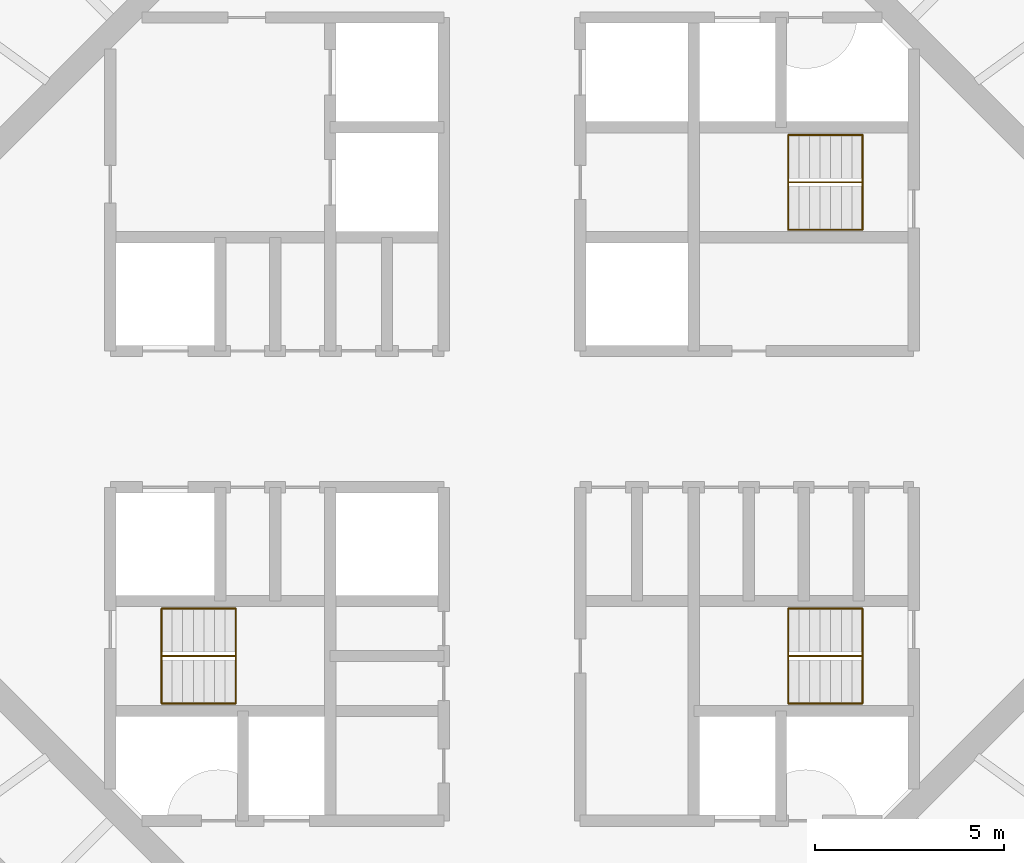
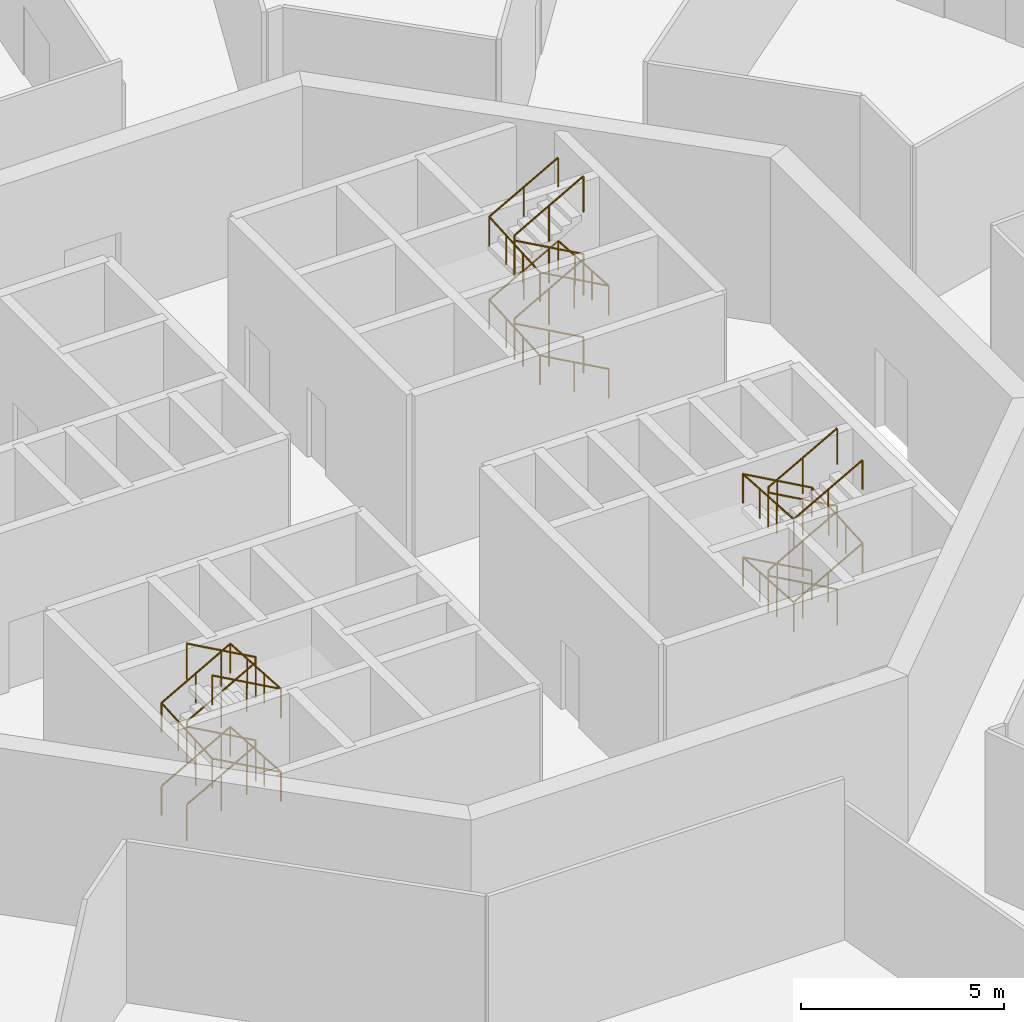
# One storey, part 13 of 13: 6 railings.
"""IFC4 building model written with IfcOpenShell, lengths in metres."""

from ifc_helpers import new_model, si_unit, direction, frame, origin, origin_2d, place, context, subcontext, project, spatial, circle, extrude, material, type_object, element, save


model = new_model("IFC4")

# Units and contexts
model_context = context("Model", 3, precision=1e-05, world=origin(), true_north=direction((0.0, 1.0)))
body_context = subcontext(model_context, "Body", "Model", "MODEL_VIEW")
ifc_project = project(units=[si_unit("LENGTHUNIT", "METRE"), si_unit("AREAUNIT", "SQUARE_METRE"), si_unit("VOLUMEUNIT", "CUBIC_METRE"), si_unit("PLANEANGLEUNIT", "RADIAN"), si_unit("MASSUNIT", "GRAM", prefix="KILO")], contexts=[model_context])

# Site, building, storey
site_placement = place(None, origin())
site = spatial("IfcSite", under=ifc_project, at=site_placement, CompositionType="ELEMENT")
building_placement = place(site_placement, origin())
building = spatial("IfcBuilding", under=site, at=building_placement, Name="Entoto Ring Tower", CompositionType="ELEMENT")
storey_placement = place(building_placement, frame((0.0, 0.0, 402.0)))
storey = spatial("IfcBuildingStorey", under=building, at=storey_placement, Name="L92", CompositionType="ELEMENT", Elevation=402.0)

# Railings
ifc_material_1 = material(Name="Steel S275", Category="steel")
railing_type_1 = type_object("IfcRailingType", Name="Stair guard 1100 mm steel", PredefinedType="GUARDRAIL", material=ifc_material_1)
railing_1_placement = place(storey_placement, frame((99.25, 86.25, 0.15625)))
element("IfcRailing", 1, at=railing_1_placement, inside=storey, type_object=railing_type_1, Name="Guard ST1", PredefinedType="GUARDRAIL", context=body_context, shape_type="SweptSolid", body=[
    extrude(circle(Radius=0.02392578125, at=origin_2d()), frame((0.0, 0.0, 1.076171875), z_axis=(-0.873232148454, 0.0, 0.487304437602), x_axis=(0.0, -1.0, 0.0)), (0.0, 0.0, 1.0), 2.244384765625),
    extrude(circle(Radius=0.02392578125, at=origin_2d()), frame((-1.9599609375, 0.0, 2.169921875), z_axis=(0.0, 0.0, 1.0), x_axis=(1.0, 0.0, 0.0)), (0.0, 0.0, 1.0), 0.15625),
    extrude(circle(Radius=0.02392578125, at=origin_2d()), frame((-1.9599609375, 0.0, 2.326171875), z_axis=(0.873232148454, 0.0, 0.487304437602), x_axis=(0.0, 1.0, 0.0)), (0.0, 0.0, 1.0), 2.244384765625),
    extrude(circle(Radius=0.02392578125, at=origin_2d()), frame((0.0, 0.0, 3.419921875), z_axis=(0.0, 0.0, 1.0), x_axis=(1.0, 0.0, 0.0)), (0.0, 0.0, 1.0), 0.15625),
    extrude(circle(Radius=0.02392578125, at=origin_2d()), frame((0.0, 0.0, 3.576171875), z_axis=(-0.873232148454, 0.0, 0.487304437602), x_axis=(0.0, -1.0, 0.0)), (0.0, 0.0, 1.0), 2.244384765625),
    extrude(circle(Radius=0.02392578125, at=origin_2d()), frame((-1.9599609375, 0.0, 4.669921875), z_axis=(0.0, 0.0, 1.0), x_axis=(1.0, 0.0, 0.0)), (0.0, 0.0, 1.0), 0.15625),
    extrude(circle(Radius=0.02392578125, at=origin_2d()), frame((-1.9599609375, 0.0, 4.826171875), z_axis=(0.873232148454, 0.0, 0.487304437602), x_axis=(0.0, 1.0, 0.0)), (0.0, 0.0, 1.0), 2.244384765625),
    extrude(circle(Radius=0.02099609375, at=origin_2d()), origin(), (0.0, 0.0, 1.0), 1.052001953125),
    extrude(circle(Radius=0.02099609375, at=origin_2d()), frame((-0.97998046875, 0.0, 0.546875)), (0.0, 0.0, 1.0), 1.052001953125),
    extrude(circle(Radius=0.02099609375, at=origin_2d()), frame((-1.9599609375, 0.0, 1.09375)), (0.0, 0.0, 1.0), 1.052001953125),
    extrude(circle(Radius=0.02099609375, at=origin_2d()), frame((-1.9599609375, 0.0, 1.25)), (0.0, 0.0, 1.0), 1.052001953125),
    extrude(circle(Radius=0.02099609375, at=origin_2d()), frame((-0.97998046875, 0.0, 1.796875)), (0.0, 0.0, 1.0), 1.052001953125),
    extrude(circle(Radius=0.02099609375, at=origin_2d()), frame((0.0, 0.0, 2.34375)), (0.0, 0.0, 1.0), 1.052001953125),
    extrude(circle(Radius=0.02099609375, at=origin_2d()), frame((0.0, 0.0, 2.5)), (0.0, 0.0, 1.0), 1.052001953125),
    extrude(circle(Radius=0.02099609375, at=origin_2d()), frame((-0.97998046875, 0.0, 3.046875)), (0.0, 0.0, 1.0), 1.052001953125),
    extrude(circle(Radius=0.02099609375, at=origin_2d()), frame((-1.9599609375, 0.0, 3.59375)), (0.0, 0.0, 1.0), 1.052001953125),
    extrude(circle(Radius=0.02099609375, at=origin_2d()), frame((-1.9599609375, 0.0, 3.75)), (0.0, 0.0, 1.0), 1.052001953125),
    extrude(circle(Radius=0.02099609375, at=origin_2d()), frame((-0.97998046875, 0.0, 4.296875)), (0.0, 0.0, 1.0), 1.052001953125),
    extrude(circle(Radius=0.02099609375, at=origin_2d()), frame((0.0, 0.0, 4.84375)), (0.0, 0.0, 1.0), 1.052001953125),
])
railing_2_placement = place(storey_placement, frame((80.75, 73.75, 0.15625)))
element("IfcRailing", 2, at=railing_2_placement, inside=storey, type_object=railing_type_1, Name="Guard ST2", PredefinedType="GUARDRAIL", context=body_context, shape_type="SweptSolid", body=[
    extrude(circle(Radius=0.02392578125, at=origin_2d()), frame((0.0, 0.0, 1.076171875), z_axis=(0.873232148454, 0.0, 0.487304437602), x_axis=(0.0, 1.0, 0.0)), (0.0, 0.0, 1.0), 2.244384765625),
    extrude(circle(Radius=0.02392578125, at=origin_2d()), frame((1.9599609375, 0.0, 2.169921875), z_axis=(0.0, 0.0, 1.0), x_axis=(1.0, 0.0, 0.0)), (0.0, 0.0, 1.0), 0.15625),
    extrude(circle(Radius=0.02392578125, at=origin_2d()), frame((1.9599609375, 0.0, 2.326171875), z_axis=(-0.873232148454, 0.0, 0.487304437602), x_axis=(0.0, -1.0, 0.0)), (0.0, 0.0, 1.0), 2.244384765625),
    extrude(circle(Radius=0.02392578125, at=origin_2d()), frame((0.0, 0.0, 3.419921875), z_axis=(0.0, 0.0, 1.0), x_axis=(1.0, 0.0, 0.0)), (0.0, 0.0, 1.0), 0.15625),
    extrude(circle(Radius=0.02392578125, at=origin_2d()), frame((0.0, 0.0, 3.576171875), z_axis=(0.873232148454, 0.0, 0.487304437602), x_axis=(0.0, 1.0, 0.0)), (0.0, 0.0, 1.0), 2.244384765625),
    extrude(circle(Radius=0.02392578125, at=origin_2d()), frame((1.9599609375, 0.0, 4.669921875), z_axis=(0.0, 0.0, 1.0), x_axis=(1.0, 0.0, 0.0)), (0.0, 0.0, 1.0), 0.15625),
    extrude(circle(Radius=0.02392578125, at=origin_2d()), frame((1.9599609375, 0.0, 4.826171875), z_axis=(-0.873232148454, 0.0, 0.487304437602), x_axis=(0.0, -1.0, 0.0)), (0.0, 0.0, 1.0), 2.244384765625),
    extrude(circle(Radius=0.02099609375, at=origin_2d()), origin(), (0.0, 0.0, 1.0), 1.052001953125),
    extrude(circle(Radius=0.02099609375, at=origin_2d()), frame((0.97998046875, 0.0, 0.546875)), (0.0, 0.0, 1.0), 1.052001953125),
    extrude(circle(Radius=0.02099609375, at=origin_2d()), frame((1.9599609375, 0.0, 1.09375)), (0.0, 0.0, 1.0), 1.052001953125),
    extrude(circle(Radius=0.02099609375, at=origin_2d()), frame((1.9599609375, 0.0, 1.25)), (0.0, 0.0, 1.0), 1.052001953125),
    extrude(circle(Radius=0.02099609375, at=origin_2d()), frame((0.97998046875, 0.0, 1.796875)), (0.0, 0.0, 1.0), 1.052001953125),
    extrude(circle(Radius=0.02099609375, at=origin_2d()), frame((0.0, 0.0, 2.34375)), (0.0, 0.0, 1.0), 1.052001953125),
    extrude(circle(Radius=0.02099609375, at=origin_2d()), frame((0.0, 0.0, 2.5)), (0.0, 0.0, 1.0), 1.052001953125),
    extrude(circle(Radius=0.02099609375, at=origin_2d()), frame((0.97998046875, 0.0, 3.046875)), (0.0, 0.0, 1.0), 1.052001953125),
    extrude(circle(Radius=0.02099609375, at=origin_2d()), frame((1.9599609375, 0.0, 3.59375)), (0.0, 0.0, 1.0), 1.052001953125),
    extrude(circle(Radius=0.02099609375, at=origin_2d()), frame((1.9599609375, 0.0, 3.75)), (0.0, 0.0, 1.0), 1.052001953125),
    extrude(circle(Radius=0.02099609375, at=origin_2d()), frame((0.97998046875, 0.0, 4.296875)), (0.0, 0.0, 1.0), 1.052001953125),
    extrude(circle(Radius=0.02099609375, at=origin_2d()), frame((0.0, 0.0, 4.84375)), (0.0, 0.0, 1.0), 1.052001953125),
])
railing_3_placement = place(storey_placement, frame((99.25, 73.75, 0.15625)))
element("IfcRailing", 3, at=railing_3_placement, inside=storey, type_object=railing_type_1, Name="Guard ST3", PredefinedType="GUARDRAIL", context=body_context, shape_type="SweptSolid", body=[
    extrude(circle(Radius=0.02392578125, at=origin_2d()), frame((0.0, 0.0, 1.076171875), z_axis=(-0.873232148454, 0.0, 0.487304437602), x_axis=(0.0, -1.0, 0.0)), (0.0, 0.0, 1.0), 2.244384765625),
    extrude(circle(Radius=0.02392578125, at=origin_2d()), frame((-1.9599609375, 0.0, 2.169921875), z_axis=(0.0, 0.0, 1.0), x_axis=(1.0, 0.0, 0.0)), (0.0, 0.0, 1.0), 0.15625),
    extrude(circle(Radius=0.02392578125, at=origin_2d()), frame((-1.9599609375, 0.0, 2.326171875), z_axis=(0.873232148454, 0.0, 0.487304437602), x_axis=(0.0, 1.0, 0.0)), (0.0, 0.0, 1.0), 2.244384765625),
    extrude(circle(Radius=0.02392578125, at=origin_2d()), frame((0.0, 0.0, 3.419921875), z_axis=(0.0, 0.0, 1.0), x_axis=(1.0, 0.0, 0.0)), (0.0, 0.0, 1.0), 0.15625),
    extrude(circle(Radius=0.02392578125, at=origin_2d()), frame((0.0, 0.0, 3.576171875), z_axis=(-0.873232148454, 0.0, 0.487304437602), x_axis=(0.0, -1.0, 0.0)), (0.0, 0.0, 1.0), 2.244384765625),
    extrude(circle(Radius=0.02392578125, at=origin_2d()), frame((-1.9599609375, 0.0, 4.669921875), z_axis=(0.0, 0.0, 1.0), x_axis=(1.0, 0.0, 0.0)), (0.0, 0.0, 1.0), 0.15625),
    extrude(circle(Radius=0.02392578125, at=origin_2d()), frame((-1.9599609375, 0.0, 4.826171875), z_axis=(0.873232148454, 0.0, 0.487304437602), x_axis=(0.0, 1.0, 0.0)), (0.0, 0.0, 1.0), 2.244384765625),
    extrude(circle(Radius=0.02099609375, at=origin_2d()), origin(), (0.0, 0.0, 1.0), 1.052001953125),
    extrude(circle(Radius=0.02099609375, at=origin_2d()), frame((-0.97998046875, 0.0, 0.546875)), (0.0, 0.0, 1.0), 1.052001953125),
    extrude(circle(Radius=0.02099609375, at=origin_2d()), frame((-1.9599609375, 0.0, 1.09375)), (0.0, 0.0, 1.0), 1.052001953125),
    extrude(circle(Radius=0.02099609375, at=origin_2d()), frame((-1.9599609375, 0.0, 1.25)), (0.0, 0.0, 1.0), 1.052001953125),
    extrude(circle(Radius=0.02099609375, at=origin_2d()), frame((-0.97998046875, 0.0, 1.796875)), (0.0, 0.0, 1.0), 1.052001953125),
    extrude(circle(Radius=0.02099609375, at=origin_2d()), frame((0.0, 0.0, 2.34375)), (0.0, 0.0, 1.0), 1.052001953125),
    extrude(circle(Radius=0.02099609375, at=origin_2d()), frame((0.0, 0.0, 2.5)), (0.0, 0.0, 1.0), 1.052001953125),
    extrude(circle(Radius=0.02099609375, at=origin_2d()), frame((-0.97998046875, 0.0, 3.046875)), (0.0, 0.0, 1.0), 1.052001953125),
    extrude(circle(Radius=0.02099609375, at=origin_2d()), frame((-1.9599609375, 0.0, 3.59375)), (0.0, 0.0, 1.0), 1.052001953125),
    extrude(circle(Radius=0.02099609375, at=origin_2d()), frame((-1.9599609375, 0.0, 3.75)), (0.0, 0.0, 1.0), 1.052001953125),
    extrude(circle(Radius=0.02099609375, at=origin_2d()), frame((-0.97998046875, 0.0, 4.296875)), (0.0, 0.0, 1.0), 1.052001953125),
    extrude(circle(Radius=0.02099609375, at=origin_2d()), frame((0.0, 0.0, 4.84375)), (0.0, 0.0, 1.0), 1.052001953125),
])
ifc_material_2 = material(Name="Steel S275", Category="steel")
railing_type_2 = type_object("IfcRailingType", Name="Stair handrail 900 mm steel", PredefinedType="HANDRAIL", material=ifc_material_2)
railing_4_placement = place(storey_placement, frame((99.25, 85.0, 0.15625)))
element("IfcRailing", 4, at=railing_4_placement, inside=storey, type_object=railing_type_2, Name="Handrail ST1", PredefinedType="HANDRAIL", context=body_context, shape_type="SweptSolid", body=[
    extrude(circle(Radius=0.02392578125, at=origin_2d()), frame((0.0, 0.0, 0.8759765625), z_axis=(-0.873232148454, 0.0, 0.487304437602), x_axis=(0.0, -1.0, 0.0)), (0.0, 0.0, 1.0), 2.244384765625),
    extrude(circle(Radius=0.02392578125, at=origin_2d()), frame((-1.9599609375, 0.0, 1.9697265625), z_axis=(0.0, 0.998052578483, 0.062378286155), x_axis=(-1.0, 0.0, 0.0)), (0.0, 0.0, 1.0), 2.5048828125),
    extrude(circle(Radius=0.02392578125, at=origin_2d()), frame((-1.9599609375, 2.5, 2.1259765625), z_axis=(0.873232148454, 0.0, 0.487304437602), x_axis=(0.0, 1.0, 0.0)), (0.0, 0.0, 1.0), 2.244384765625),
    extrude(circle(Radius=0.02392578125, at=origin_2d()), frame((0.0, 2.5, 3.2197265625), z_axis=(0.0, -0.998052578483, 0.062378286155), x_axis=(1.0, 0.0, 0.0)), (0.0, 0.0, 1.0), 2.5048828125),
    extrude(circle(Radius=0.02392578125, at=origin_2d()), frame((0.0, 0.0, 3.3759765625), z_axis=(-0.873232148454, 0.0, 0.487304437602), x_axis=(0.0, -1.0, 0.0)), (0.0, 0.0, 1.0), 2.244384765625),
    extrude(circle(Radius=0.02392578125, at=origin_2d()), frame((-1.9599609375, 0.0, 4.4697265625), z_axis=(0.0, 0.998052578483, 0.062378286155), x_axis=(-1.0, 0.0, 0.0)), (0.0, 0.0, 1.0), 2.5048828125),
    extrude(circle(Radius=0.02392578125, at=origin_2d()), frame((-1.9599609375, 2.5, 4.6259765625), z_axis=(0.873232148454, 0.0, 0.487304437602), x_axis=(0.0, 1.0, 0.0)), (0.0, 0.0, 1.0), 2.244384765625),
    extrude(circle(Radius=0.02099609375, at=origin_2d()), origin(), (0.0, 0.0, 1.0), 0.851806640625),
    extrude(circle(Radius=0.02099609375, at=origin_2d()), frame((-0.97998046875, 0.0, 0.546875)), (0.0, 0.0, 1.0), 0.851806640625),
    extrude(circle(Radius=0.02099609375, at=origin_2d()), frame((-1.9599609375, 0.0, 1.09375)), (0.0, 0.0, 1.0), 0.851806640625),
    extrude(circle(Radius=0.02099609375, at=origin_2d()), frame((-1.9599609375, 0.833251953125, 1.145751953125)), (0.0, 0.0, 1.0), 0.851806640625),
    extrude(circle(Radius=0.02099609375, at=origin_2d()), frame((-1.9599609375, 1.666748046875, 1.197998046875)), (0.0, 0.0, 1.0), 0.851806640625),
    extrude(circle(Radius=0.02099609375, at=origin_2d()), frame((-1.9599609375, 2.5, 1.25)), (0.0, 0.0, 1.0), 0.851806640625),
    extrude(circle(Radius=0.02099609375, at=origin_2d()), frame((-0.97998046875, 2.5, 1.796875)), (0.0, 0.0, 1.0), 0.851806640625),
    extrude(circle(Radius=0.02099609375, at=origin_2d()), frame((0.0, 2.5, 2.34375)), (0.0, 0.0, 1.0), 0.851806640625),
    extrude(circle(Radius=0.02099609375, at=origin_2d()), frame((0.0, 1.666748046875, 2.395751953125)), (0.0, 0.0, 1.0), 0.851806640625),
    extrude(circle(Radius=0.02099609375, at=origin_2d()), frame((0.0, 0.833251953125, 2.447998046875)), (0.0, 0.0, 1.0), 0.851806640625),
    extrude(circle(Radius=0.02099609375, at=origin_2d()), frame((0.0, 0.0, 2.5)), (0.0, 0.0, 1.0), 0.851806640625),
    extrude(circle(Radius=0.02099609375, at=origin_2d()), frame((-0.97998046875, 0.0, 3.046875)), (0.0, 0.0, 1.0), 0.851806640625),
    extrude(circle(Radius=0.02099609375, at=origin_2d()), frame((-1.9599609375, 0.0, 3.59375)), (0.0, 0.0, 1.0), 0.851806640625),
    extrude(circle(Radius=0.02099609375, at=origin_2d()), frame((-1.9599609375, 0.833251953125, 3.645751953125)), (0.0, 0.0, 1.0), 0.851806640625),
    extrude(circle(Radius=0.02099609375, at=origin_2d()), frame((-1.9599609375, 1.666748046875, 3.697998046875)), (0.0, 0.0, 1.0), 0.851806640625),
    extrude(circle(Radius=0.02099609375, at=origin_2d()), frame((-1.9599609375, 2.5, 3.75)), (0.0, 0.0, 1.0), 0.851806640625),
    extrude(circle(Radius=0.02099609375, at=origin_2d()), frame((-0.97998046875, 2.5, 4.296875)), (0.0, 0.0, 1.0), 0.851806640625),
    extrude(circle(Radius=0.02099609375, at=origin_2d()), frame((0.0, 2.5, 4.84375)), (0.0, 0.0, 1.0), 0.851806640625),
])
railing_5_placement = place(storey_placement, frame((80.75, 75.0, 0.15625)))
element("IfcRailing", 5, at=railing_5_placement, inside=storey, type_object=railing_type_2, Name="Handrail ST2", PredefinedType="HANDRAIL", context=body_context, shape_type="SweptSolid", body=[
    extrude(circle(Radius=0.02392578125, at=origin_2d()), frame((0.0, 0.0, 0.8759765625), z_axis=(0.873232148454, 0.0, 0.487304437602), x_axis=(0.0, 1.0, 0.0)), (0.0, 0.0, 1.0), 2.244384765625),
    extrude(circle(Radius=0.02392578125, at=origin_2d()), frame((1.9599609375, 0.0, 1.9697265625), z_axis=(0.0, -0.998052578483, 0.062378286155), x_axis=(1.0, 0.0, 0.0)), (0.0, 0.0, 1.0), 2.5048828125),
    extrude(circle(Radius=0.02392578125, at=origin_2d()), frame((1.9599609375, -2.5, 2.1259765625), z_axis=(-0.873232148454, 0.0, 0.487304437602), x_axis=(0.0, -1.0, 0.0)), (0.0, 0.0, 1.0), 2.244384765625),
    extrude(circle(Radius=0.02392578125, at=origin_2d()), frame((0.0, -2.5, 3.2197265625), z_axis=(0.0, 0.998052578483, 0.062378286155), x_axis=(-1.0, 0.0, 0.0)), (0.0, 0.0, 1.0), 2.5048828125),
    extrude(circle(Radius=0.02392578125, at=origin_2d()), frame((0.0, 0.0, 3.3759765625), z_axis=(0.873232148454, 0.0, 0.487304437602), x_axis=(0.0, 1.0, 0.0)), (0.0, 0.0, 1.0), 2.244384765625),
    extrude(circle(Radius=0.02392578125, at=origin_2d()), frame((1.9599609375, 0.0, 4.4697265625), z_axis=(0.0, -0.998052578483, 0.062378286155), x_axis=(1.0, 0.0, 0.0)), (0.0, 0.0, 1.0), 2.5048828125),
    extrude(circle(Radius=0.02392578125, at=origin_2d()), frame((1.9599609375, -2.5, 4.6259765625), z_axis=(-0.873232148454, 0.0, 0.487304437602), x_axis=(0.0, -1.0, 0.0)), (0.0, 0.0, 1.0), 2.244384765625),
    extrude(circle(Radius=0.02099609375, at=origin_2d()), origin(), (0.0, 0.0, 1.0), 0.851806640625),
    extrude(circle(Radius=0.02099609375, at=origin_2d()), frame((0.97998046875, 0.0, 0.546875)), (0.0, 0.0, 1.0), 0.851806640625),
    extrude(circle(Radius=0.02099609375, at=origin_2d()), frame((1.9599609375, 0.0, 1.09375)), (0.0, 0.0, 1.0), 0.851806640625),
    extrude(circle(Radius=0.02099609375, at=origin_2d()), frame((1.9599609375, -0.833251953125, 1.145751953125)), (0.0, 0.0, 1.0), 0.851806640625),
    extrude(circle(Radius=0.02099609375, at=origin_2d()), frame((1.9599609375, -1.666748046875, 1.197998046875)), (0.0, 0.0, 1.0), 0.851806640625),
    extrude(circle(Radius=0.02099609375, at=origin_2d()), frame((1.9599609375, -2.5, 1.25)), (0.0, 0.0, 1.0), 0.851806640625),
    extrude(circle(Radius=0.02099609375, at=origin_2d()), frame((0.97998046875, -2.5, 1.796875)), (0.0, 0.0, 1.0), 0.851806640625),
    extrude(circle(Radius=0.02099609375, at=origin_2d()), frame((0.0, -2.5, 2.34375)), (0.0, 0.0, 1.0), 0.851806640625),
    extrude(circle(Radius=0.02099609375, at=origin_2d()), frame((0.0, -1.666748046875, 2.395751953125)), (0.0, 0.0, 1.0), 0.851806640625),
    extrude(circle(Radius=0.02099609375, at=origin_2d()), frame((0.0, -0.833251953125, 2.447998046875)), (0.0, 0.0, 1.0), 0.851806640625),
    extrude(circle(Radius=0.02099609375, at=origin_2d()), frame((0.0, 0.0, 2.5)), (0.0, 0.0, 1.0), 0.851806640625),
    extrude(circle(Radius=0.02099609375, at=origin_2d()), frame((0.97998046875, 0.0, 3.046875)), (0.0, 0.0, 1.0), 0.851806640625),
    extrude(circle(Radius=0.02099609375, at=origin_2d()), frame((1.9599609375, 0.0, 3.59375)), (0.0, 0.0, 1.0), 0.851806640625),
    extrude(circle(Radius=0.02099609375, at=origin_2d()), frame((1.9599609375, -0.833251953125, 3.645751953125)), (0.0, 0.0, 1.0), 0.851806640625),
    extrude(circle(Radius=0.02099609375, at=origin_2d()), frame((1.9599609375, -1.666748046875, 3.697998046875)), (0.0, 0.0, 1.0), 0.851806640625),
    extrude(circle(Radius=0.02099609375, at=origin_2d()), frame((1.9599609375, -2.5, 3.75)), (0.0, 0.0, 1.0), 0.851806640625),
    extrude(circle(Radius=0.02099609375, at=origin_2d()), frame((0.97998046875, -2.5, 4.296875)), (0.0, 0.0, 1.0), 0.851806640625),
    extrude(circle(Radius=0.02099609375, at=origin_2d()), frame((0.0, -2.5, 4.84375)), (0.0, 0.0, 1.0), 0.851806640625),
])
railing_6_placement = place(storey_placement, frame((99.25, 75.0, 0.15625)))
element("IfcRailing", 6, at=railing_6_placement, inside=storey, type_object=railing_type_2, Name="Handrail ST3", PredefinedType="HANDRAIL", context=body_context, shape_type="SweptSolid", body=[
    extrude(circle(Radius=0.02392578125, at=origin_2d()), frame((0.0, 0.0, 0.8759765625), z_axis=(-0.873232148454, 0.0, 0.487304437602), x_axis=(0.0, -1.0, 0.0)), (0.0, 0.0, 1.0), 2.244384765625),
    extrude(circle(Radius=0.02392578125, at=origin_2d()), frame((-1.9599609375, 0.0, 1.9697265625), z_axis=(0.0, -0.998052578483, 0.062378286155), x_axis=(1.0, 0.0, 0.0)), (0.0, 0.0, 1.0), 2.5048828125),
    extrude(circle(Radius=0.02392578125, at=origin_2d()), frame((-1.9599609375, -2.5, 2.1259765625), z_axis=(0.873232148454, 0.0, 0.487304437602), x_axis=(0.0, 1.0, 0.0)), (0.0, 0.0, 1.0), 2.244384765625),
    extrude(circle(Radius=0.02392578125, at=origin_2d()), frame((0.0, -2.5, 3.2197265625), z_axis=(0.0, 0.998052578483, 0.062378286155), x_axis=(-1.0, 0.0, 0.0)), (0.0, 0.0, 1.0), 2.5048828125),
    extrude(circle(Radius=0.02392578125, at=origin_2d()), frame((0.0, 0.0, 3.3759765625), z_axis=(-0.873232148454, 0.0, 0.487304437602), x_axis=(0.0, -1.0, 0.0)), (0.0, 0.0, 1.0), 2.244384765625),
    extrude(circle(Radius=0.02392578125, at=origin_2d()), frame((-1.9599609375, 0.0, 4.4697265625), z_axis=(0.0, -0.998052578483, 0.062378286155), x_axis=(1.0, 0.0, 0.0)), (0.0, 0.0, 1.0), 2.5048828125),
    extrude(circle(Radius=0.02392578125, at=origin_2d()), frame((-1.9599609375, -2.5, 4.6259765625), z_axis=(0.873232148454, 0.0, 0.487304437602), x_axis=(0.0, 1.0, 0.0)), (0.0, 0.0, 1.0), 2.244384765625),
    extrude(circle(Radius=0.02099609375, at=origin_2d()), origin(), (0.0, 0.0, 1.0), 0.851806640625),
    extrude(circle(Radius=0.02099609375, at=origin_2d()), frame((-0.97998046875, 0.0, 0.546875)), (0.0, 0.0, 1.0), 0.851806640625),
    extrude(circle(Radius=0.02099609375, at=origin_2d()), frame((-1.9599609375, 0.0, 1.09375)), (0.0, 0.0, 1.0), 0.851806640625),
    extrude(circle(Radius=0.02099609375, at=origin_2d()), frame((-1.9599609375, -0.833251953125, 1.145751953125)), (0.0, 0.0, 1.0), 0.851806640625),
    extrude(circle(Radius=0.02099609375, at=origin_2d()), frame((-1.9599609375, -1.666748046875, 1.197998046875)), (0.0, 0.0, 1.0), 0.851806640625),
    extrude(circle(Radius=0.02099609375, at=origin_2d()), frame((-1.9599609375, -2.5, 1.25)), (0.0, 0.0, 1.0), 0.851806640625),
    extrude(circle(Radius=0.02099609375, at=origin_2d()), frame((-0.97998046875, -2.5, 1.796875)), (0.0, 0.0, 1.0), 0.851806640625),
    extrude(circle(Radius=0.02099609375, at=origin_2d()), frame((0.0, -2.5, 2.34375)), (0.0, 0.0, 1.0), 0.851806640625),
    extrude(circle(Radius=0.02099609375, at=origin_2d()), frame((0.0, -1.666748046875, 2.395751953125)), (0.0, 0.0, 1.0), 0.851806640625),
    extrude(circle(Radius=0.02099609375, at=origin_2d()), frame((0.0, -0.833251953125, 2.447998046875)), (0.0, 0.0, 1.0), 0.851806640625),
    extrude(circle(Radius=0.02099609375, at=origin_2d()), frame((0.0, 0.0, 2.5)), (0.0, 0.0, 1.0), 0.851806640625),
    extrude(circle(Radius=0.02099609375, at=origin_2d()), frame((-0.97998046875, 0.0, 3.046875)), (0.0, 0.0, 1.0), 0.851806640625),
    extrude(circle(Radius=0.02099609375, at=origin_2d()), frame((-1.9599609375, 0.0, 3.59375)), (0.0, 0.0, 1.0), 0.851806640625),
    extrude(circle(Radius=0.02099609375, at=origin_2d()), frame((-1.9599609375, -0.833251953125, 3.645751953125)), (0.0, 0.0, 1.0), 0.851806640625),
    extrude(circle(Radius=0.02099609375, at=origin_2d()), frame((-1.9599609375, -1.666748046875, 3.697998046875)), (0.0, 0.0, 1.0), 0.851806640625),
    extrude(circle(Radius=0.02099609375, at=origin_2d()), frame((-1.9599609375, -2.5, 3.75)), (0.0, 0.0, 1.0), 0.851806640625),
    extrude(circle(Radius=0.02099609375, at=origin_2d()), frame((-0.97998046875, -2.5, 4.296875)), (0.0, 0.0, 1.0), 0.851806640625),
    extrude(circle(Radius=0.02099609375, at=origin_2d()), frame((0.0, -2.5, 4.84375)), (0.0, 0.0, 1.0), 0.851806640625),
])

save(model, "model.ifc")
